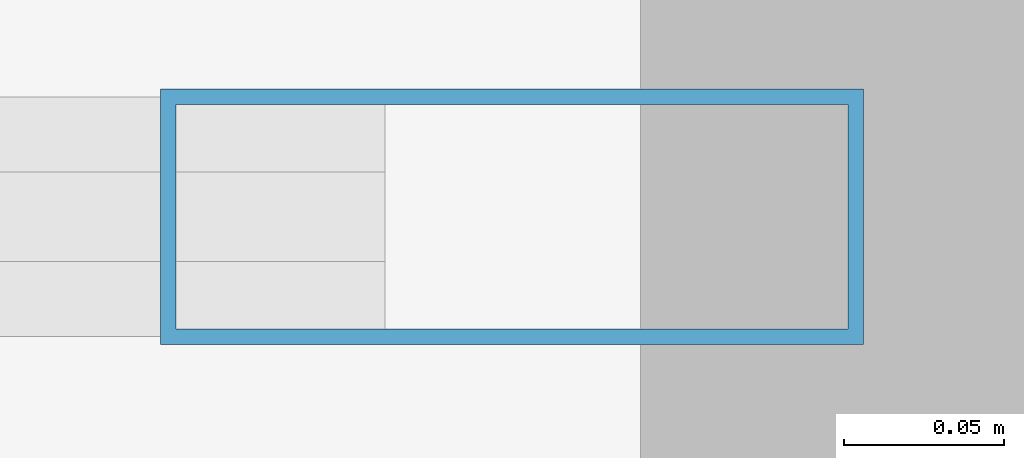
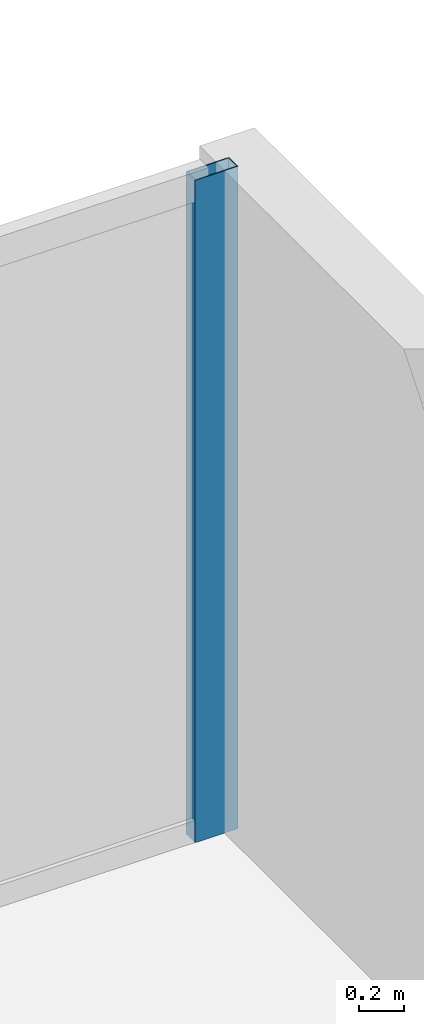
# One storey, part 14 of 26: 1 member, 1 element without a shape of its own.
"""IFC4 building model written with IfcOpenShell, lengths in metres."""

from ifc_helpers import new_model, si_unit, direction, frame, origin, origin_with_axes, origin_2d, place, context, subcontext, project, spatial, hollow_rectangle, extrude, source, transform, mapped, material, layer, layer_set, material_profile, profile_set, type_object, element, aggregate, save


model = new_model("IFC4")

# Units and contexts
model_context = context("Model", 3, precision=1e-05, world=origin(), true_north=direction((0.0, 1.0)))
body_context = subcontext(model_context, "Body", "Model", "MODEL_VIEW")
ifc_project = project(units=[si_unit("LENGTHUNIT", "METRE"), si_unit("AREAUNIT", "SQUARE_METRE"), si_unit("VOLUMEUNIT", "CUBIC_METRE"), si_unit("PLANEANGLEUNIT", "RADIAN"), si_unit("MASSUNIT", "GRAM", prefix="KILO")], contexts=[model_context])

# Site, building, storey
site_placement = place(None, origin())
site = spatial("IfcSite", under=ifc_project, at=site_placement, CompositionType="ELEMENT")
building_placement = place(site_placement, origin())
building = spatial("IfcBuilding", under=site, at=building_placement, Name="Kolvaren Waterfront Exchange", CompositionType="ELEMENT")
storey_placement = place(building_placement, frame((0.0, 0.0, 150.0)))
storey = spatial("IfcBuildingStorey", under=building, at=storey_placement, Name="L38", CompositionType="ELEMENT", Elevation=150.0)

# Curtain wall, member
ifc_material_1 = material(Name="Anodised bronze aluminium 6063-T6", Category="aluminium")
ifc_layer = layer(ifc_material_1, 0.219970703125, Name="Anodised bronze aluminium 6063-T6")
ifc_layer_set = layer_set([ifc_layer], Name="Anodised bronze aluminium 6063-T6")
curtain_wall_type = type_object("IfcCurtainWallType", Name="ARC-CW-SYS1", PredefinedType="USERDEFINED", material=ifc_layer_set)
curtain_wall_placement = place(storey_placement, origin())
curtain_wall = element("IfcCurtainWall", 1, at=curtain_wall_placement, inside=storey, type_object=curtain_wall_type, Name="L38 stick curtain wall CW1 (CW-L38-EN)", ObjectType="STICK CURTAIN WALL", PredefinedType="USERDEFINED")
ifc_material_2 = material(Name="Anodised aluminium 6063-T6", Category="aluminium")
ifc_material_profile = material_profile(ifc_material_2, hollow_rectangle(XDim=0.080078125, YDim=0.219970703125, WallThickness=0.0048828125, at=origin_2d()), Name="ALU-MUL-220x80x5")
ifc_profile_set = profile_set([ifc_material_profile], Name="Anodised aluminium 6063-T6")
member_type = type_object("IfcMemberType", Name="ARC-CWM-220", PredefinedType="MULLION", material=ifc_profile_set)
shared_shape = source(origin_with_axes(), body_context, "Body", "SweptSolid", [
    extrude(hollow_rectangle(XDim=0.080078125, YDim=0.219970703125, WallThickness=0.0048828125, at=origin_2d()), origin(), (0.0, 0.0, 1.0), 3.56005859375),
])
member_placement = place(storey_placement, frame((54.659912109375, 20.9599609375, 0.0), z_axis=(0.0, 0.0, 1.0), x_axis=(0.0, 1.0, 0.0)))
member = element("IfcMember", 2, at=member_placement, type_object=member_type, Name="CW1 mullion 5", PredefinedType="MULLION", context=body_context, shape_type="MappedRepresentation", body=[
    mapped(shared_shape, transform((0.0, 0.0, 0.0), x_axis=(1.0, 0.0, 0.0), y_axis=(0.0, 1.0, 0.0), z_axis=(0.0, 0.0, 1.0), scale=1.0)),
])
aggregate(curtain_wall, [member])

save(model, "model.ifc")
